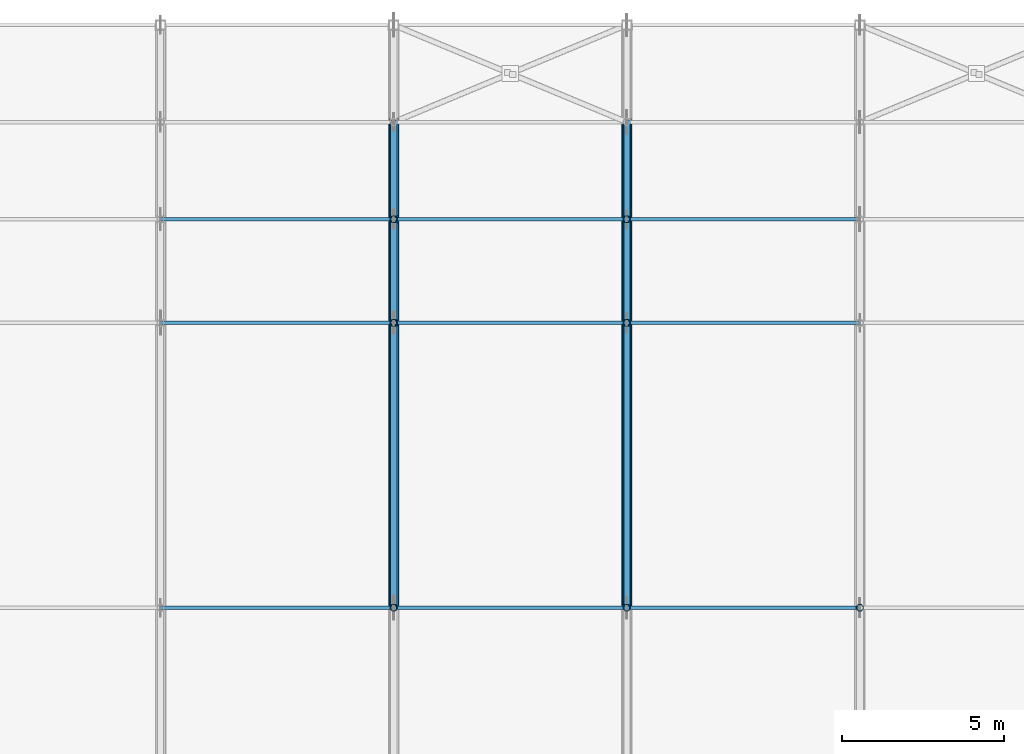
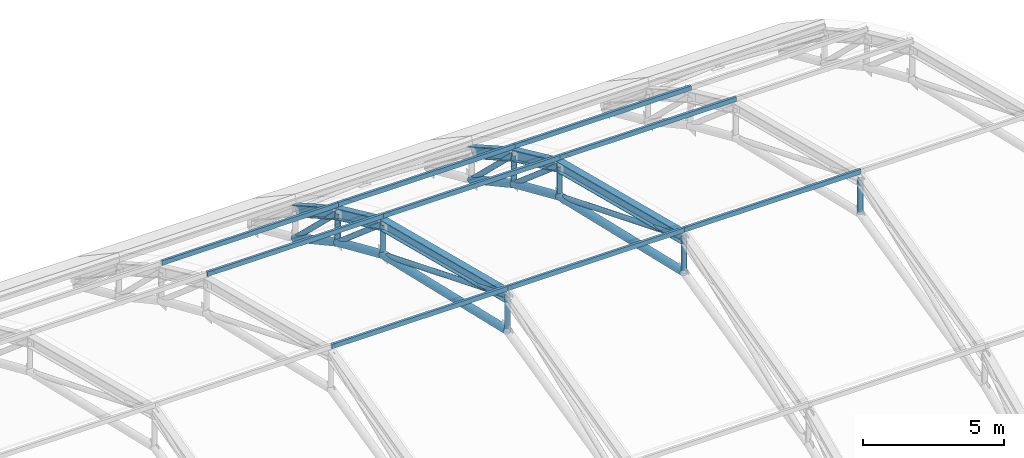
# One storey, part 20 of 63: 28 members, 6 beams.
"""IFC4 building model written with IfcOpenShell, lengths in metres."""

from ifc_helpers import new_model, si_unit, direction, frame, origin, origin_2d, place, context, subcontext, project, spatial, hollow_rectangle, hollow_circle, i_section, extrude, material, material_profile, profile_set, type_object, element, save


model = new_model("IFC4")

# Units and contexts
model_context = context("Model", 3, precision=1e-05, world=origin(), true_north=direction((0.0, 1.0)))
body_context = subcontext(model_context, "Body", "Model", "MODEL_VIEW")
ifc_project = project(units=[si_unit("LENGTHUNIT", "METRE"), si_unit("AREAUNIT", "SQUARE_METRE"), si_unit("VOLUMEUNIT", "CUBIC_METRE"), si_unit("PLANEANGLEUNIT", "RADIAN"), si_unit("MASSUNIT", "GRAM", prefix="KILO")], contexts=[model_context])

# Site, building, storey
site_placement = place(None, origin())
site = spatial("IfcSite", under=ifc_project, at=site_placement, CompositionType="ELEMENT")
building_placement = place(site_placement, origin())
building = spatial("IfcBuilding", under=site, at=building_placement, Name="Solvadek Multi-Sports Hall", CompositionType="ELEMENT")
storey_placement = place(building_placement, frame((0.0, 0.0, 19.199951171875)))
storey = spatial("IfcBuildingStorey", under=building, at=storey_placement, Name="RF", CompositionType="ELEMENT", Elevation=19.199951171875)

# Members
ifc_material_1 = material(Name="Steel E350 (350 MPa)", Category="steel")
ifc_material_profile_1 = material_profile(ifc_material_1, hollow_circle(Radius=0.109619140625, WallThickness=0.010009765625, at=origin_2d()), Name="CHS 219.1x10")
ifc_profile_set_1 = profile_set([ifc_material_profile_1], Name="Steel E350 (350 MPa)")
member_type_1 = type_object("IfcMemberType", Name="STR-BRC-CHS219", PredefinedType="BRACE", material=ifc_profile_set_1)
member_1_placement = place(storey_placement, frame((115.199951171875, 24.0, 2.35009765625), z_axis=(0.0, 0.0, 1.0), x_axis=(1.0, 0.0, 0.0)))
element("IfcMember", 1, at=member_1_placement, inside=storey, type_object=member_type_1, Name="v1 Truss 5 Web Vertical 4", PredefinedType="BRACE", context=body_context, shape_type="SweptSolid", body=[
    extrude(hollow_circle(Radius=0.109619140625, WallThickness=0.010009765625, at=origin_2d()), origin(), (0.0, 0.0, 1.0), 1.5),
])
member_2_placement = place(storey_placement, frame((115.199951171875, 24.0, 3.85009765625), z_axis=(0.0, 0.927015158586, -0.375023860244), x_axis=(-1.0, 0.0, 0.0)))
element("IfcMember", 2, at=member_2_placement, inside=storey, type_object=member_type_1, Name="v1 Truss 5 Web Diagonal 5", PredefinedType="BRACE", context=body_context, shape_type="SweptSolid", body=[
    extrude(hollow_circle(Radius=0.109619140625, WallThickness=0.010009765625, at=origin_2d()), origin(), (0.0, 0.0, 1.0), 9.492919921875),
])
member_3_placement = place(storey_placement, frame((115.199951171875, 32.800048828125, 0.2900390625), z_axis=(0.0, 0.0, 1.0), x_axis=(1.0, 0.0, 0.0)))
element("IfcMember", 3, at=member_3_placement, inside=storey, type_object=member_type_1, Name="v1 Truss 5 Web Vertical 5", PredefinedType="BRACE", context=body_context, shape_type="SweptSolid", body=[
    extrude(hollow_circle(Radius=0.109619140625, WallThickness=0.010009765625, at=origin_2d()), origin(), (0.0, 0.0, 1.0), 1.3291015625),
])
member_4_placement = place(storey_placement, frame((115.199951171875, 32.800048828125, 1.619140625), z_axis=(0.0, 0.760074683686, -0.649835729411), x_axis=(-1.0, 0.0, 0.0)))
element("IfcMember", 4, at=member_4_placement, inside=storey, type_object=member_type_1, Name="v1 Truss 5 Web Diagonal 6", PredefinedType="BRACE", context=body_context, shape_type="SweptSolid", body=[
    extrude(hollow_circle(Radius=0.109619140625, WallThickness=0.010009765625, at=origin_2d()), origin(), (0.0, 0.0, 1.0), 4.2099609375),
])
member_5_placement = place(storey_placement, frame((115.199951171875, 36.0, -1.11669921875), z_axis=(0.0, 0.0, 1.0), x_axis=(1.0, 0.0, 0.0)))
element("IfcMember", 5, at=member_5_placement, inside=storey, type_object=member_type_1, Name="v1 Truss 5 Web Vertical 6", PredefinedType="BRACE", context=body_context, shape_type="SweptSolid", body=[
    extrude(hollow_circle(Radius=0.109619140625, WallThickness=0.010009765625, at=origin_2d()), origin(), (0.0, 0.0, 1.0), 1.266845703125),
])
member_6_placement = place(storey_placement, frame((115.199951171875, 36.0, 0.150146484375), z_axis=(0.0, 0.718473942669, -0.695553875487), x_axis=(-1.0, 0.0, 0.0)))
element("IfcMember", 6, at=member_6_placement, inside=storey, type_object=member_type_1, Name="v1 Truss 5 Web Diagonal 7", PredefinedType="BRACE", context=body_context, shape_type="SweptSolid", body=[
    extrude(hollow_circle(Radius=0.109619140625, WallThickness=0.010009765625, at=origin_2d()), origin(), (0.0, 0.0, 1.0), 4.175537109375),
])
member_7_placement = place(storey_placement, frame((122.39990234375, 24.0, 2.35009765625), z_axis=(0.0, 0.0, 1.0), x_axis=(1.0, 0.0, 0.0)))
element("IfcMember", 7, at=member_7_placement, inside=storey, type_object=member_type_1, Name="v1 Truss 6 Web Vertical 4", PredefinedType="BRACE", context=body_context, shape_type="SweptSolid", body=[
    extrude(hollow_circle(Radius=0.109619140625, WallThickness=0.010009765625, at=origin_2d()), origin(), (0.0, 0.0, 1.0), 1.5),
])
member_8_placement = place(storey_placement, frame((122.39990234375, 24.0, 3.85009765625), z_axis=(0.0, 0.927015158586, -0.375023860244), x_axis=(-1.0, 0.0, 0.0)))
element("IfcMember", 8, at=member_8_placement, inside=storey, type_object=member_type_1, Name="v1 Truss 6 Web Diagonal 5", PredefinedType="BRACE", context=body_context, shape_type="SweptSolid", body=[
    extrude(hollow_circle(Radius=0.109619140625, WallThickness=0.010009765625, at=origin_2d()), origin(), (0.0, 0.0, 1.0), 9.492919921875),
])
member_9_placement = place(storey_placement, frame((122.39990234375, 32.800048828125, 0.2900390625), z_axis=(0.0, 0.0, 1.0), x_axis=(1.0, 0.0, 0.0)))
element("IfcMember", 9, at=member_9_placement, inside=storey, type_object=member_type_1, Name="v1 Truss 6 Web Vertical 5", PredefinedType="BRACE", context=body_context, shape_type="SweptSolid", body=[
    extrude(hollow_circle(Radius=0.109619140625, WallThickness=0.010009765625, at=origin_2d()), origin(), (0.0, 0.0, 1.0), 1.3291015625),
])
member_10_placement = place(storey_placement, frame((122.39990234375, 32.800048828125, 1.619140625), z_axis=(0.0, 0.760074683686, -0.649835729411), x_axis=(-1.0, 0.0, 0.0)))
element("IfcMember", 10, at=member_10_placement, inside=storey, type_object=member_type_1, Name="v1 Truss 6 Web Diagonal 6", PredefinedType="BRACE", context=body_context, shape_type="SweptSolid", body=[
    extrude(hollow_circle(Radius=0.109619140625, WallThickness=0.010009765625, at=origin_2d()), origin(), (0.0, 0.0, 1.0), 4.2099609375),
])
member_11_placement = place(storey_placement, frame((122.39990234375, 36.0, -1.11669921875), z_axis=(0.0, 0.0, 1.0), x_axis=(1.0, 0.0, 0.0)))
element("IfcMember", 11, at=member_11_placement, inside=storey, type_object=member_type_1, Name="v1 Truss 6 Web Vertical 6", PredefinedType="BRACE", context=body_context, shape_type="SweptSolid", body=[
    extrude(hollow_circle(Radius=0.109619140625, WallThickness=0.010009765625, at=origin_2d()), origin(), (0.0, 0.0, 1.0), 1.266845703125),
])
member_12_placement = place(storey_placement, frame((122.39990234375, 36.0, 0.150146484375), z_axis=(0.0, 0.718473942669, -0.695553875487), x_axis=(-1.0, 0.0, 0.0)))
element("IfcMember", 12, at=member_12_placement, inside=storey, type_object=member_type_1, Name="v1 Truss 6 Web Diagonal 7", PredefinedType="BRACE", context=body_context, shape_type="SweptSolid", body=[
    extrude(hollow_circle(Radius=0.109619140625, WallThickness=0.010009765625, at=origin_2d()), origin(), (0.0, 0.0, 1.0), 4.175537109375),
])
member_13_placement = place(storey_placement, frame((129.60009765625, 24.0, 2.35009765625), z_axis=(0.0, 0.0, 1.0), x_axis=(1.0, 0.0, 0.0)))
element("IfcMember", 13, at=member_13_placement, inside=storey, type_object=member_type_1, Name="v1 Truss 7 Web Vertical 4", PredefinedType="BRACE", context=body_context, shape_type="SweptSolid", body=[
    extrude(hollow_circle(Radius=0.109619140625, WallThickness=0.010009765625, at=origin_2d()), origin(), (0.0, 0.0, 1.0), 1.5),
])
ifc_material_profile_2 = material_profile(ifc_material_1, hollow_circle(Radius=0.161865234375, WallThickness=0.012451171875, at=origin_2d()), Name="CHS 323.9x12.5")
ifc_profile_set_2 = profile_set([ifc_material_profile_2], Name="Steel E350 (350 MPa)")
member_type_2 = type_object("IfcMemberType", Name="STR-CHD-CHS323", PredefinedType="CHORD", material=ifc_profile_set_2)
member_14_placement = place(storey_placement, frame((115.199951171875, 24.0, 2.35009765625), z_axis=(0.0, 0.973676572462, -0.227934052391), x_axis=(-1.0, 0.0, 0.0)))
element("IfcMember", 14, at=member_14_placement, inside=storey, type_object=member_type_2, Name="v1 Arched Truss 5 Bottom Chord 5", PredefinedType="CHORD", context=body_context, shape_type="SweptSolid", body=[
    extrude(hollow_circle(Radius=0.161865234375, WallThickness=0.012451171875, at=origin_2d()), origin(), (0.0, 0.0, 1.0), 9.037841796875),
])
member_15_placement = place(storey_placement, frame((115.199951171875, 32.800048828125, 0.2900390625), z_axis=(0.0, 0.915445777878, -0.402441334564), x_axis=(-1.0, 0.0, 0.0)))
element("IfcMember", 15, at=member_15_placement, inside=storey, type_object=member_type_2, Name="v1 Arched Truss 5 Bottom Chord 6", PredefinedType="CHORD", context=body_context, shape_type="SweptSolid", body=[
    extrude(hollow_circle(Radius=0.161865234375, WallThickness=0.012451171875, at=origin_2d()), origin(), (0.0, 0.0, 1.0), 3.49560546875),
])
member_16_placement = place(storey_placement, frame((115.199951171875, 36.0, -1.11669921875), z_axis=(0.0, 0.877761773463, -0.479097348195), x_axis=(-1.0, 0.0, 0.0)))
element("IfcMember", 16, at=member_16_placement, inside=storey, type_object=member_type_2, Name="v1 Arched Truss 5 Bottom Chord 7", PredefinedType="CHORD", context=body_context, shape_type="SweptSolid", body=[
    extrude(hollow_circle(Radius=0.161865234375, WallThickness=0.012451171875, at=origin_2d()), origin(), (0.0, 0.0, 1.0), 3.417724609375),
])
member_17_placement = place(storey_placement, frame((122.39990234375, 24.0, 2.35009765625), z_axis=(0.0, 0.973676572462, -0.227934052391), x_axis=(-1.0, 0.0, 0.0)))
element("IfcMember", 17, at=member_17_placement, inside=storey, type_object=member_type_2, Name="v1 Arched Truss 6 Bottom Chord 5", PredefinedType="CHORD", context=body_context, shape_type="SweptSolid", body=[
    extrude(hollow_circle(Radius=0.161865234375, WallThickness=0.012451171875, at=origin_2d()), origin(), (0.0, 0.0, 1.0), 9.037841796875),
])
member_18_placement = place(storey_placement, frame((122.39990234375, 32.800048828125, 0.2900390625), z_axis=(0.0, 0.915445777878, -0.402441334564), x_axis=(-1.0, 0.0, 0.0)))
element("IfcMember", 18, at=member_18_placement, inside=storey, type_object=member_type_2, Name="v1 Arched Truss 6 Bottom Chord 6", PredefinedType="CHORD", context=body_context, shape_type="SweptSolid", body=[
    extrude(hollow_circle(Radius=0.161865234375, WallThickness=0.012451171875, at=origin_2d()), origin(), (0.0, 0.0, 1.0), 3.49560546875),
])
member_19_placement = place(storey_placement, frame((122.39990234375, 36.0, -1.11669921875), z_axis=(0.0, 0.877761773463, -0.479097348195), x_axis=(-1.0, 0.0, 0.0)))
element("IfcMember", 19, at=member_19_placement, inside=storey, type_object=member_type_2, Name="v1 Arched Truss 6 Bottom Chord 7", PredefinedType="CHORD", context=body_context, shape_type="SweptSolid", body=[
    extrude(hollow_circle(Radius=0.161865234375, WallThickness=0.012451171875, at=origin_2d()), origin(), (0.0, 0.0, 1.0), 3.417724609375),
])
ifc_material_2 = material(Name="Steel E250 (250 MPa)", Category="steel")
ifc_material_profile_3 = material_profile(ifc_material_2, hollow_rectangle(XDim=0.10009765625, YDim=0.199951171875, WallThickness=0.008056640625, at=origin_2d()), Name="RHS 200x100x8")
ifc_profile_set_3 = profile_set([ifc_material_profile_3], Name="Steel E250 (250 MPa)")
member_type_3 = type_object("IfcMemberType", Name="STR-PUR-RHS200", PredefinedType="PURLIN", material=ifc_profile_set_3)
for number, where, z_axis, x_axis, name in (
    (20, (108.0, 24.0, 4.18603515625), (1.0, 0.0, 0.0), (0.0, 1.0, 0.0), "V1 Roof Purlin #32"),
    (21, (108.0, 32.800048828125, 1.970703125), (1.0, 0.0, 0.0), (0.0, 1.0, 0.0), "V1 Roof Purlin #33"),
    (22, (108.0, 36.0, 0.512451171875), (1.0, 0.0, 0.0), (0.0, 1.0, 0.0), "V1 Roof Purlin #34"),
    (23, (115.199951171875, 24.0, 4.18603515625), (1.0, 0.0, 0.0), (0.0, 1.0, 0.0), "V1 Roof Purlin #41"),
    (24, (115.199951171875, 32.800048828125, 1.970703125), (1.0, 0.0, 0.0), (0.0, 1.0, 0.0), "V1 Roof Purlin #42"),
    (25, (115.199951171875, 36.0, 0.512451171875), (1.0, 0.0, 0.0), (0.0, 1.0, 0.0), "V1 Roof Purlin #43"),
):
    element("IfcMember", number, at=place(storey_placement, frame(where, z_axis=z_axis, x_axis=x_axis)), inside=storey, type_object=member_type_3, Name=name, PredefinedType="PURLIN", context=body_context, shape_type="SweptSolid", body=[
        extrude(hollow_rectangle(XDim=0.10009765625, YDim=0.199951171875, WallThickness=0.008056640625, at=origin_2d()), origin(), (0.0, 0.0, 1.0), 7.199951171875),
    ])
for number, where, z_axis, x_axis, name in (
    (26, (122.39990234375, 24.0, 4.18603515625), (1.0, 0.0, 0.0), (0.0, 1.0, 0.0), "V1 Roof Purlin #50"),
    (27, (122.39990234375, 32.800048828125, 1.970703125), (1.0, 0.0, 0.0), (0.0, 1.0, 0.0), "V1 Roof Purlin #51"),
    (28, (122.39990234375, 36.0, 0.512451171875), (1.0, 0.0, 0.0), (0.0, 1.0, 0.0), "V1 Roof Purlin #52"),
):
    element("IfcMember", number, at=place(storey_placement, frame(where, z_axis=z_axis, x_axis=x_axis)), inside=storey, type_object=member_type_3, Name=name, PredefinedType="PURLIN", context=body_context, shape_type="SweptSolid", body=[
        extrude(hollow_rectangle(XDim=0.10009765625, YDim=0.199951171875, WallThickness=0.008056640625, at=origin_2d()), origin(), (0.0, 0.0, 1.0), 7.2001953125),
    ])

# Beams
ifc_material_profile_4 = material_profile(ifc_material_1, i_section(OverallWidth=0.300048828125, OverallDepth=0.449951171875, WebThickness=0.013916015625, FlangeThickness=0.02587890625, at=origin_2d()), Name="WPB 450")
ifc_profile_set_4 = profile_set([ifc_material_profile_4], Name="Steel E350 (350 MPa)")
beam_type = type_object("IfcBeamType", Name="STR-TRS-WPB450", PredefinedType="USERDEFINED", material=ifc_profile_set_4)
beam_1_placement = place(storey_placement, frame((115.199951171875, 24.0, 3.85009765625), z_axis=(0.0, 0.969335170668, -0.245742399488), x_axis=(-1.0, 0.0, 0.0)))
element("IfcBeam", 29, at=beam_1_placement, inside=storey, type_object=beam_type, Name="v1 Arched Truss 5 Top Chord 5", ObjectType="ROOF TRUSS", PredefinedType="USERDEFINED", context=body_context, shape_type="SweptSolid", body=[
    extrude(i_section(OverallWidth=0.300048828125, OverallDepth=0.449951171875, WebThickness=0.013916015625, FlangeThickness=0.02587890625, at=origin_2d()), origin(), (0.0, 0.0, 1.0), 9.078369140625),
])
beam_2_placement = place(storey_placement, frame((115.199951171875, 32.800048828125, 1.619140625), z_axis=(0.0, 0.908811875669, -0.417206153651), x_axis=(-1.0, 0.0, 0.0)))
element("IfcBeam", 30, at=beam_2_placement, inside=storey, type_object=beam_type, Name="v1 Arched Truss 5 Top Chord 6", ObjectType="ROOF TRUSS", PredefinedType="USERDEFINED", context=body_context, shape_type="SweptSolid", body=[
    extrude(i_section(OverallWidth=0.300048828125, OverallDepth=0.449951171875, WebThickness=0.013916015625, FlangeThickness=0.02587890625, at=origin_2d()), origin(), (0.0, 0.0, 1.0), 3.52099609375),
])
beam_3_placement = place(storey_placement, frame((115.199951171875, 36.0, 0.150146484375), z_axis=(0.0, 0.870544365607, -0.492089938436), x_axis=(-1.0, 0.0, 0.0)))
element("IfcBeam", 31, at=beam_3_placement, inside=storey, type_object=beam_type, Name="v1 Arched Truss 5 Top Chord 7", ObjectType="ROOF TRUSS", PredefinedType="USERDEFINED", context=body_context, shape_type="SweptSolid", body=[
    extrude(i_section(OverallWidth=0.300048828125, OverallDepth=0.449951171875, WebThickness=0.013916015625, FlangeThickness=0.02587890625, at=origin_2d()), origin(), (0.0, 0.0, 1.0), 3.446044921875),
])
beam_4_placement = place(storey_placement, frame((122.39990234375, 24.0, 3.85009765625), z_axis=(0.0, 0.969335170668, -0.245742399488), x_axis=(-1.0, 0.0, 0.0)))
element("IfcBeam", 32, at=beam_4_placement, inside=storey, type_object=beam_type, Name="v1 Arched Truss 6 Top Chord 5", ObjectType="ROOF TRUSS", PredefinedType="USERDEFINED", context=body_context, shape_type="SweptSolid", body=[
    extrude(i_section(OverallWidth=0.300048828125, OverallDepth=0.449951171875, WebThickness=0.013916015625, FlangeThickness=0.02587890625, at=origin_2d()), origin(), (0.0, 0.0, 1.0), 9.078369140625),
])
beam_5_placement = place(storey_placement, frame((122.39990234375, 32.800048828125, 1.619140625), z_axis=(0.0, 0.908811875669, -0.417206153651), x_axis=(-1.0, 0.0, 0.0)))
element("IfcBeam", 33, at=beam_5_placement, inside=storey, type_object=beam_type, Name="v1 Arched Truss 6 Top Chord 6", ObjectType="ROOF TRUSS", PredefinedType="USERDEFINED", context=body_context, shape_type="SweptSolid", body=[
    extrude(i_section(OverallWidth=0.300048828125, OverallDepth=0.449951171875, WebThickness=0.013916015625, FlangeThickness=0.02587890625, at=origin_2d()), origin(), (0.0, 0.0, 1.0), 3.52099609375),
])
beam_6_placement = place(storey_placement, frame((122.39990234375, 36.0, 0.150146484375), z_axis=(0.0, 0.870544365607, -0.492089938436), x_axis=(-1.0, 0.0, 0.0)))
element("IfcBeam", 34, at=beam_6_placement, inside=storey, type_object=beam_type, Name="v1 Arched Truss 6 Top Chord 7", ObjectType="ROOF TRUSS", PredefinedType="USERDEFINED", context=body_context, shape_type="SweptSolid", body=[
    extrude(i_section(OverallWidth=0.300048828125, OverallDepth=0.449951171875, WebThickness=0.013916015625, FlangeThickness=0.02587890625, at=origin_2d()), origin(), (0.0, 0.0, 1.0), 3.446044921875),
])

save(model, "model.ifc")
